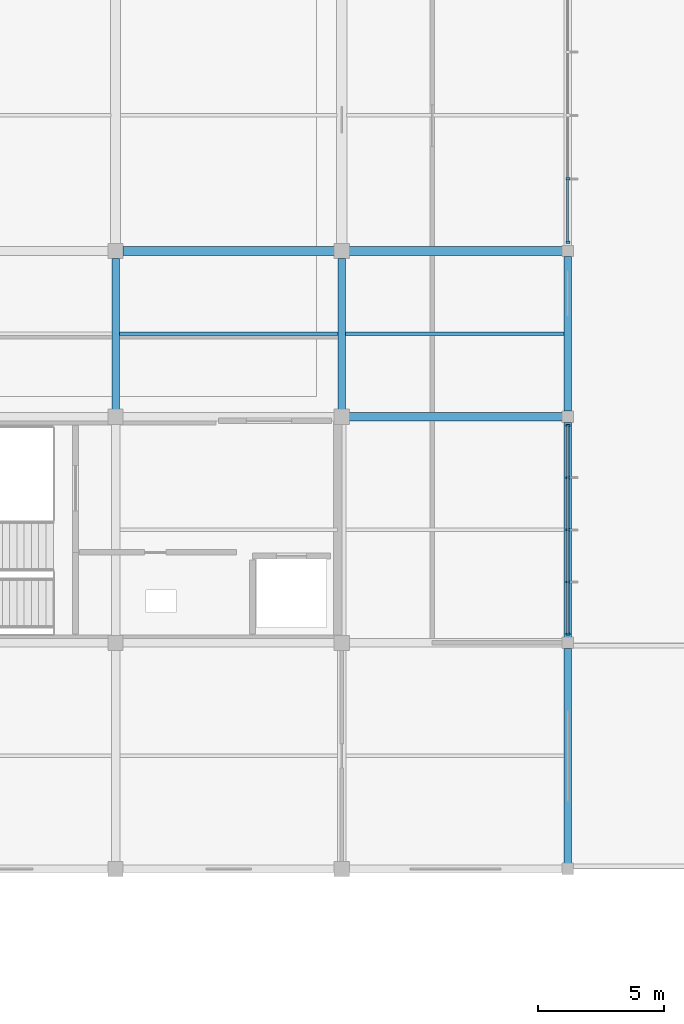
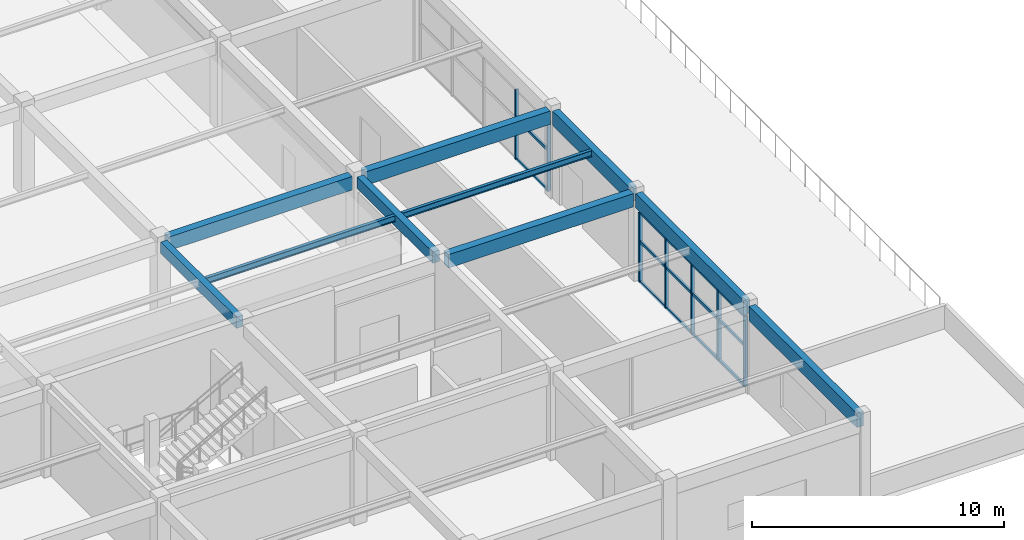
# One storey, part 9 of 89: 18 members, 10 beams, 2 elements without a shape of their own.
"""IFC4 building model written with IfcOpenShell, lengths in metres."""

from ifc_helpers import new_model, si_unit, direction, frame, origin, origin_2d, place, context, subcontext, project, spatial, rectangle, i_section, extrude, material, material_profile, profile_set, type_object, element, aggregate, save


model = new_model("IFC4")

# Units and contexts
model_context = context("Model", 3, precision=1e-05, world=origin(), true_north=direction((0.0, 1.0)))
body_context = subcontext(model_context, "Body", "Model", "MODEL_VIEW")
ifc_project = project(units=[si_unit("LENGTHUNIT", "METRE"), si_unit("AREAUNIT", "SQUARE_METRE"), si_unit("VOLUMEUNIT", "CUBIC_METRE"), si_unit("PLANEANGLEUNIT", "RADIAN"), si_unit("MASSUNIT", "GRAM", prefix="KILO")], contexts=[model_context])

# Site, building, storey
site_placement = place(None, origin())
site = spatial("IfcSite", under=ifc_project, at=site_placement, CompositionType="ELEMENT")
building_placement = place(site_placement, origin())
building = spatial("IfcBuilding", under=site, at=building_placement, Name="Suirenkawa Promenade Aquatics Centre", CompositionType="ELEMENT")
storey_placement = place(building_placement, frame((0.0, 0.0, 9.60009765625)))
storey = spatial("IfcBuildingStorey", under=building, at=storey_placement, Name="L02", CompositionType="ELEMENT", Elevation=9.60009765625)

# Beams
ifc_material_1 = material(Name="Steel IS 2062 E350 (Grade 350)", Category="steel")
ifc_material_profile_1 = material_profile(ifc_material_1, i_section(OverallWidth=0.139892578125, OverallDepth=0.300048828125, WebThickness=0.008056640625, FlangeThickness=0.012939453125, at=origin_2d()), Name="ISMB 300", Category="steel")
ifc_profile_set_1 = profile_set([ifc_material_profile_1], Name="Steel IS 2062 E350 (Grade 350)")
beam_type_1 = type_object("IfcBeamType", Name="BT-JOIST-ISMB300", PredefinedType="JOIST", material=ifc_profile_set_1)
for number, where, z_axis, x_axis, name in (
    (1, (18.14404296875, 25.5, 4.087890625), (1.0, 0.0, 0.0), (0.0, 1.0, 0.0), "Secondary floor joist JS-02 BM-0714"),
    (2, (27.14404296875, 25.5, 4.087890625), (1.0, 0.0, 0.0), (0.0, 1.0, 0.0), "Secondary floor joist JS-02 BM-0726"),
):
    element("IfcBeam", number, at=place(storey_placement, frame(where, z_axis=z_axis, x_axis=x_axis)), inside=storey, type_object=beam_type_1, Name=name, PredefinedType="JOIST", context=body_context, shape_type="SweptSolid", body=[
        extrude(i_section(OverallWidth=0.139892578125, OverallDepth=0.300048828125, WebThickness=0.008056640625, FlangeThickness=0.012939453125, at=origin_2d()), origin(), (0.0, 0.0, 1.0), 8.7119140625),
    ])
ifc_material_2 = material(Name="Concrete M35", Category="concrete")
ifc_material_profile_2 = material_profile(ifc_material_2, rectangle(XDim=0.300048828125, YDim=0.550048828125, at=origin_2d()), Name="RC BM 300x550", Category="concrete")
ifc_profile_set_2 = profile_set([ifc_material_profile_2], Name="Concrete M35")
beam_type_2 = type_object("IfcBeamType", Name="BT-RC-300x550", PredefinedType="BEAM", material=ifc_profile_set_2)
for number, where, z_axis, x_axis, name in (
    (3, (18.0, 22.493896484375, 3.96484375), (0.0, 1.0, 0.0), (-1.0, 0.0, 0.0), "Floor beam BM-01 BM-0656"),
    (4, (27.0, 22.493896484375, 3.96484375), (0.0, 1.0, 0.0), (-1.0, 0.0, 0.0), "Floor beam BM-01 BM-0668"),
):
    element("IfcBeam", number, at=place(storey_placement, frame(where, z_axis=z_axis, x_axis=x_axis)), inside=storey, type_object=beam_type_2, Name=name, PredefinedType="BEAM", context=body_context, shape_type="SweptSolid", body=[
        extrude(rectangle(XDim=0.300048828125, YDim=0.550048828125, at=origin_2d()), origin(), (0.0, 0.0, 1.0), 6.01220703125),
    ])
ifc_material_profile_3 = material_profile(ifc_material_2, rectangle(XDim=0.35009765625, YDim=0.64990234375, at=origin_2d()), Name="RC BM 350x650", Category="concrete")
ifc_profile_set_3 = profile_set([ifc_material_profile_3], Name="Concrete M35")
beam_type_3 = type_object("IfcBeamType", Name="BT-RC-350x650", PredefinedType="BEAM", material=ifc_profile_set_3)
beam_1_placement = place(storey_placement, frame((27.2939453125, 22.199951171875, 3.914794921875), z_axis=(1.0, 0.0, 0.0), x_axis=(0.0, 1.0, 0.0)))
element("IfcBeam", 5, at=beam_1_placement, inside=storey, type_object=beam_type_3, Name="Floor beam BM-03 BM-0589", PredefinedType="BEAM", context=body_context, shape_type="SweptSolid", body=[
    extrude(rectangle(XDim=0.35009765625, YDim=0.64990234375, at=origin_2d()), origin(), (0.0, 0.0, 1.0), 8.487060546875),
])
beam_2_placement = place(storey_placement, frame((18.2939453125, 28.800048828125, 3.914794921875), z_axis=(1.0, 0.0, 0.0), x_axis=(0.0, 1.0, 0.0)))
element("IfcBeam", 6, at=beam_2_placement, inside=storey, type_object=beam_type_3, Name="Floor beam BM-03 BM-0592", PredefinedType="BEAM", context=body_context, shape_type="SweptSolid", body=[
    extrude(rectangle(XDim=0.35009765625, YDim=0.64990234375, at=origin_2d()), origin(), (0.0, 0.0, 1.0), 8.412109375),
])
beam_3_placement = place(storey_placement, frame((27.2939453125, 28.800048828125, 3.914794921875), z_axis=(1.0, 0.0, 0.0), x_axis=(0.0, 1.0, 0.0)))
element("IfcBeam", 7, at=beam_3_placement, inside=storey, type_object=beam_type_3, Name="Floor beam BM-03 BM-0593", PredefinedType="BEAM", context=body_context, shape_type="SweptSolid", body=[
    extrude(rectangle(XDim=0.35009765625, YDim=0.64990234375, at=origin_2d()), origin(), (0.0, 0.0, 1.0), 8.487060546875),
])
ifc_material_3 = material(Name="Concrete M40", Category="concrete")
ifc_material_profile_4 = material_profile(ifc_material_3, rectangle(XDim=0.300048828125, YDim=0.699951171875, at=origin_2d()), Name="RC SPANDREL 300x700", Category="concrete")
ifc_profile_set_4 = profile_set([ifc_material_profile_4], Name="Concrete M40")
beam_type_4 = type_object("IfcBeamType", Name="BT-SPANDREL-300x700", PredefinedType="SPANDREL", material=ifc_profile_set_4)
for number, where, z_axis, x_axis, name in (
    (8, (36.0, 4.4189453125, 3.889892578125), (0.0, 1.0, 0.0), (-1.0, 0.0, 0.0), "Floor beam SP-01 BM-0678"),
    (9, (36.0, 13.4189453125, 3.889892578125), (0.0, 1.0, 0.0), (-1.0, 0.0, 0.0), "Floor beam SP-01 BM-0679"),
):
    element("IfcBeam", number, at=place(storey_placement, frame(where, z_axis=z_axis, x_axis=x_axis)), inside=storey, type_object=beam_type_4, Name=name, PredefinedType="SPANDREL", context=body_context, shape_type="SweptSolid", body=[
        extrude(rectangle(XDim=0.300048828125, YDim=0.699951171875, at=origin_2d()), origin(), (0.0, 0.0, 1.0), 8.56201171875),
    ])
beam_4_placement = place(storey_placement, frame((36.0, 22.4189453125, 3.889892578125), z_axis=(0.0, 1.0, 0.0), x_axis=(-1.0, 0.0, 0.0)))
element("IfcBeam", 10, at=beam_4_placement, inside=storey, type_object=beam_type_4, Name="Floor beam SP-01 BM-0680", PredefinedType="SPANDREL", context=body_context, shape_type="SweptSolid", body=[
    extrude(rectangle(XDim=0.300048828125, YDim=0.699951171875, at=origin_2d()), origin(), (0.0, 0.0, 1.0), 6.162109375),
])

# Curtain wall, members
ifc_material_4 = material(Name="Anodised aluminium 6063-T6", Category="aluminium")
curtain_wall_type_1 = type_object("IfcCurtainWallType", Name="CWAT-V5EL02-61", PredefinedType="NOTDEFINED", material=ifc_material_4)
curtain_wall_1_placement = place(storey_placement, origin())
curtain_wall_1 = element("IfcCurtainWall", 11, at=curtain_wall_1_placement, inside=storey, type_object=curtain_wall_type_1, Name="Curtain wall CWA-61 CW-115", PredefinedType="NOTDEFINED")
ifc_material_profile_5 = material_profile(ifc_material_4, rectangle(XDim=0.090087890625, YDim=0.159912109375, at=origin_2d()), Name="ALU MULL 90x160", Category="aluminium")
ifc_profile_set_5 = profile_set([ifc_material_profile_5], Name="Anodised aluminium 6063-T6")
member_type_1 = type_object("IfcMemberType", Name="CWM-160x90", PredefinedType="MULLION", material=ifc_profile_set_5)
member_1_placement = place(storey_placement, frame((36.0, 21.85107421875, 0.0), z_axis=(0.0, 0.0, 1.0), x_axis=(0.0, -1.0, 0.0)))
member_1 = element("IfcMember", 12, at=member_1_placement, type_object=member_type_1, Name="Mullion ML-03 CWM-02309", PredefinedType="MULLION", context=body_context, shape_type="SweptSolid", body=[
    extrude(rectangle(XDim=0.090087890625, YDim=0.159912109375, at=origin_2d()), origin(), (0.0, 0.0, 1.0), 3.369873046875),
])
member_2_placement = place(storey_placement, frame((36.0, 19.775390625, 0.0), z_axis=(0.0, 0.0, 1.0), x_axis=(0.0, -1.0, 0.0)))
member_2 = element("IfcMember", 13, at=member_2_placement, type_object=member_type_1, Name="Mullion ML-03 CWM-02310", PredefinedType="MULLION", context=body_context, shape_type="SweptSolid", body=[
    extrude(rectangle(XDim=0.090087890625, YDim=0.159912109375, at=origin_2d()), origin(), (0.0, 0.0, 1.0), 3.369873046875),
])
member_3_placement = place(storey_placement, frame((36.0, 17.699951171875, 0.0), z_axis=(0.0, 0.0, 1.0), x_axis=(0.0, -1.0, 0.0)))
member_3 = element("IfcMember", 14, at=member_3_placement, type_object=member_type_1, Name="Mullion ML-03 CWM-02311", PredefinedType="MULLION", context=body_context, shape_type="SweptSolid", body=[
    extrude(rectangle(XDim=0.090087890625, YDim=0.159912109375, at=origin_2d()), origin(), (0.0, 0.0, 1.0), 3.369873046875),
])
member_4_placement = place(storey_placement, frame((36.0, 15.62451171875, 0.0), z_axis=(0.0, 0.0, 1.0), x_axis=(0.0, -1.0, 0.0)))
member_4 = element("IfcMember", 15, at=member_4_placement, type_object=member_type_1, Name="Mullion ML-03 CWM-02312", PredefinedType="MULLION", context=body_context, shape_type="SweptSolid", body=[
    extrude(rectangle(XDim=0.090087890625, YDim=0.159912109375, at=origin_2d()), origin(), (0.0, 0.0, 1.0), 3.369873046875),
])
member_5_placement = place(storey_placement, frame((36.0, 13.549072265625, 0.0), z_axis=(0.0, 0.0, 1.0), x_axis=(0.0, -1.0, 0.0)))
member_5 = element("IfcMember", 16, at=member_5_placement, type_object=member_type_1, Name="Mullion ML-03 CWM-02313", PredefinedType="MULLION", context=body_context, shape_type="SweptSolid", body=[
    extrude(rectangle(XDim=0.090087890625, YDim=0.159912109375, at=origin_2d()), origin(), (0.0, 0.0, 1.0), 3.369873046875),
])

curtain_wall_type_2 = type_object("IfcCurtainWallType", Name="CWAT-V5EL02-64", PredefinedType="NOTDEFINED", material=ifc_material_4)
curtain_wall_2_placement = place(storey_placement, origin())
curtain_wall_2 = element("IfcCurtainWall", 17, at=curtain_wall_2_placement, inside=storey, type_object=curtain_wall_type_2, Name="Curtain wall CWA-64 CW-118", PredefinedType="NOTDEFINED")
member_6_placement = place(storey_placement, frame((36.0, 31.674560546875, 0.0), z_axis=(0.0, 0.0, 1.0), x_axis=(0.0, -1.0, 0.0)))
member_6 = element("IfcMember", 18, at=member_6_placement, type_object=member_type_1, Name="Mullion ML-03 CWM-02373", PredefinedType="MULLION", context=body_context, shape_type="SweptSolid", body=[
    extrude(rectangle(XDim=0.090087890625, YDim=0.159912109375, at=origin_2d()), origin(), (0.0, 0.0, 1.0), 3.369873046875),
])
member_7_placement = place(storey_placement, frame((36.0, 29.14892578125, 0.0), z_axis=(0.0, 0.0, 1.0), x_axis=(0.0, -1.0, 0.0)))
member_7 = element("IfcMember", 19, at=member_7_placement, type_object=member_type_1, Name="Mullion ML-03 CWM-02374", PredefinedType="MULLION", context=body_context, shape_type="SweptSolid", body=[
    extrude(rectangle(XDim=0.090087890625, YDim=0.159912109375, at=origin_2d()), origin(), (0.0, 0.0, 1.0), 3.369873046875),
])

# Member
ifc_material_profile_6 = material_profile(ifc_material_4, rectangle(XDim=0.090087890625, YDim=0.1298828125, at=origin_2d()), Name="ALU TRAN 90x130", Category="aluminium")
ifc_profile_set_6 = profile_set([ifc_material_profile_6], Name="Anodised aluminium 6063-T6")
member_type_2 = type_object("IfcMemberType", Name="CWT-130x90", PredefinedType="USERDEFINED", material=ifc_profile_set_6)
member_8_placement = place(storey_placement, frame((36.0, 21.85107421875, 0.0), z_axis=(0.0, -1.0, 0.0), x_axis=(1.0, 0.0, 0.0)))
member_8 = element("IfcMember", 20, at=member_8_placement, type_object=member_type_2, Name="Transom TR-03 CWT-02314", ObjectType="TRANSOM", PredefinedType="USERDEFINED", context=body_context, shape_type="SweptSolid", body=[
    extrude(rectangle(XDim=0.090087890625, YDim=0.1298828125, at=origin_2d()), origin(), (0.0, 0.0, 1.0), 2.07568359375),
])

member_9_placement = place(storey_placement, frame((36.0, 19.775390625, 0.0), z_axis=(0.0, -1.0, 0.0), x_axis=(1.0, 0.0, 0.0)))
member_9 = element("IfcMember", 21, at=member_9_placement, type_object=member_type_2, Name="Transom TR-03 CWT-02315", ObjectType="TRANSOM", PredefinedType="USERDEFINED", context=body_context, shape_type="SweptSolid", body=[
    extrude(rectangle(XDim=0.090087890625, YDim=0.1298828125, at=origin_2d()), origin(), (0.0, 0.0, 1.0), 2.075439453125),
])

member_10_placement = place(storey_placement, frame((36.0, 17.699951171875, 0.0), z_axis=(0.0, -1.0, 0.0), x_axis=(1.0, 0.0, 0.0)))
member_10 = element("IfcMember", 22, at=member_10_placement, type_object=member_type_2, Name="Transom TR-03 CWT-02316", ObjectType="TRANSOM", PredefinedType="USERDEFINED", context=body_context, shape_type="SweptSolid", body=[
    extrude(rectangle(XDim=0.090087890625, YDim=0.1298828125, at=origin_2d()), origin(), (0.0, 0.0, 1.0), 2.075439453125),
])

member_11_placement = place(storey_placement, frame((36.0, 15.62451171875, 0.0), z_axis=(0.0, -1.0, 0.0), x_axis=(1.0, 0.0, 0.0)))
member_11 = element("IfcMember", 23, at=member_11_placement, type_object=member_type_2, Name="Transom TR-03 CWT-02317", ObjectType="TRANSOM", PredefinedType="USERDEFINED", context=body_context, shape_type="SweptSolid", body=[
    extrude(rectangle(XDim=0.090087890625, YDim=0.1298828125, at=origin_2d()), origin(), (0.0, 0.0, 1.0), 2.075439453125),
])

member_12_placement = place(storey_placement, frame((36.0, 21.85107421875, 1.949951171875), z_axis=(0.0, -1.0, 0.0), x_axis=(1.0, 0.0, 0.0)))
member_12 = element("IfcMember", 24, at=member_12_placement, type_object=member_type_2, Name="Transom TR-03 CWT-02318", ObjectType="TRANSOM", PredefinedType="USERDEFINED", context=body_context, shape_type="SweptSolid", body=[
    extrude(rectangle(XDim=0.090087890625, YDim=0.1298828125, at=origin_2d()), origin(), (0.0, 0.0, 1.0), 2.07568359375),
])

member_13_placement = place(storey_placement, frame((36.0, 19.775390625, 1.949951171875), z_axis=(0.0, -1.0, 0.0), x_axis=(1.0, 0.0, 0.0)))
member_13 = element("IfcMember", 25, at=member_13_placement, type_object=member_type_2, Name="Transom TR-03 CWT-02319", ObjectType="TRANSOM", PredefinedType="USERDEFINED", context=body_context, shape_type="SweptSolid", body=[
    extrude(rectangle(XDim=0.090087890625, YDim=0.1298828125, at=origin_2d()), origin(), (0.0, 0.0, 1.0), 2.075439453125),
])

member_14_placement = place(storey_placement, frame((36.0, 17.699951171875, 1.949951171875), z_axis=(0.0, -1.0, 0.0), x_axis=(1.0, 0.0, 0.0)))
member_14 = element("IfcMember", 26, at=member_14_placement, type_object=member_type_2, Name="Transom TR-03 CWT-02320", ObjectType="TRANSOM", PredefinedType="USERDEFINED", context=body_context, shape_type="SweptSolid", body=[
    extrude(rectangle(XDim=0.090087890625, YDim=0.1298828125, at=origin_2d()), origin(), (0.0, 0.0, 1.0), 2.075439453125),
])

member_15_placement = place(storey_placement, frame((36.0, 15.62451171875, 1.949951171875), z_axis=(0.0, -1.0, 0.0), x_axis=(1.0, 0.0, 0.0)))
member_15 = element("IfcMember", 27, at=member_15_placement, type_object=member_type_2, Name="Transom TR-03 CWT-02321", ObjectType="TRANSOM", PredefinedType="USERDEFINED", context=body_context, shape_type="SweptSolid", body=[
    extrude(rectangle(XDim=0.090087890625, YDim=0.1298828125, at=origin_2d()), origin(), (0.0, 0.0, 1.0), 2.075439453125),
])

member_16_placement = place(storey_placement, frame((36.0, 21.85107421875, 3.369873046875), z_axis=(0.0, -1.0, 0.0), x_axis=(1.0, 0.0, 0.0)))
member_16 = element("IfcMember", 28, at=member_16_placement, type_object=member_type_2, Name="Roofline transom TR-03 CWT-02322", ObjectType="TRANSOM", PredefinedType="USERDEFINED", context=body_context, shape_type="SweptSolid", body=[
    extrude(rectangle(XDim=0.090087890625, YDim=0.1298828125, at=origin_2d()), origin(), (0.0, 0.0, 1.0), 8.302001953125),
])

aggregate(curtain_wall_1, [member_1, member_2, member_3, member_4, member_5, member_8, member_9, member_10, member_11, member_12, member_13, member_14, member_15, member_16])

member_17_placement = place(storey_placement, frame((36.0, 31.674560546875, 0.0), z_axis=(0.0, -1.0, 0.0), x_axis=(1.0, 0.0, 0.0)))
member_17 = element("IfcMember", 29, at=member_17_placement, type_object=member_type_2, Name="Transom TR-03 CWT-02378", ObjectType="TRANSOM", PredefinedType="USERDEFINED", context=body_context, shape_type="SweptSolid", body=[
    extrude(rectangle(XDim=0.090087890625, YDim=0.1298828125, at=origin_2d()), origin(), (0.0, 0.0, 1.0), 2.525634765625),
])

member_18_placement = place(storey_placement, frame((36.0, 31.674560546875, 1.949951171875), z_axis=(0.0, -1.0, 0.0), x_axis=(1.0, 0.0, 0.0)))
member_18 = element("IfcMember", 30, at=member_18_placement, type_object=member_type_2, Name="Transom TR-03 CWT-02382", ObjectType="TRANSOM", PredefinedType="USERDEFINED", context=body_context, shape_type="SweptSolid", body=[
    extrude(rectangle(XDim=0.090087890625, YDim=0.1298828125, at=origin_2d()), origin(), (0.0, 0.0, 1.0), 2.525634765625),
])

aggregate(curtain_wall_2, [member_6, member_7, member_17, member_18])

save(model, "model.ifc")
